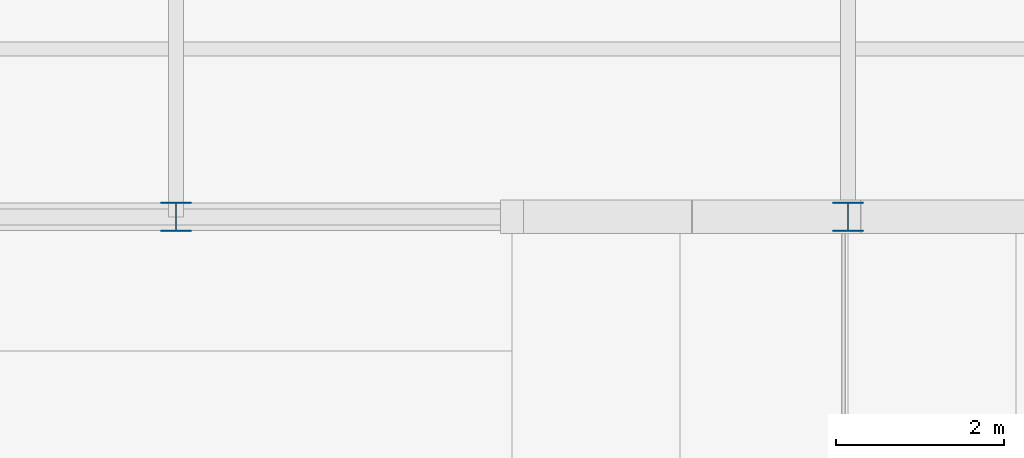
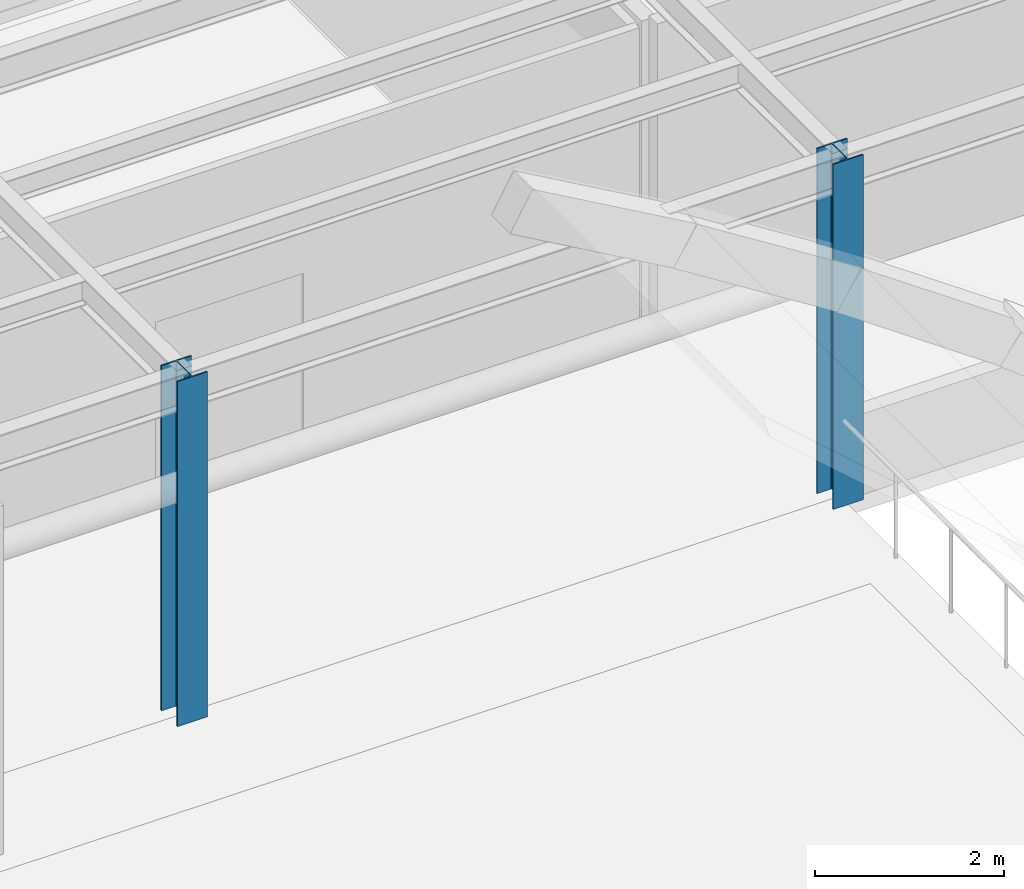
# One storey, part 6 of 82: 2 columns.
"""IFC4 building model written with IfcOpenShell, lengths in metres."""

from ifc_helpers import new_model, si_unit, direction, frame, origin, origin_2d, place, context, subcontext, project, spatial, i_section, extrude, material, material_profile, profile_set, type_object, element, save


model = new_model("IFC4")

# Units and contexts
model_context = context("Model", 3, precision=1e-05, world=origin(), true_north=direction((0.0, 1.0)))
body_context = subcontext(model_context, "Body", "Model", "MODEL_VIEW")
ifc_project = project(units=[si_unit("LENGTHUNIT", "METRE"), si_unit("AREAUNIT", "SQUARE_METRE"), si_unit("VOLUMEUNIT", "CUBIC_METRE"), si_unit("PLANEANGLEUNIT", "RADIAN"), si_unit("MASSUNIT", "GRAM", prefix="KILO")], contexts=[model_context])

# Site, building, storey
site_placement = place(None, origin())
site = spatial("IfcSite", under=ifc_project, at=site_placement, CompositionType="ELEMENT")
building_placement = place(site_placement, origin())
building = spatial("IfcBuilding", under=site, at=building_placement, Name="Sitalva Quay Ferry Terminal", CompositionType="ELEMENT")
storey_placement = place(building_placement, frame((0.0, 0.0, 5.39990234375)))
storey = spatial("IfcBuildingStorey", under=building, at=storey_placement, Name="L02", CompositionType="ELEMENT", Elevation=5.39990234375)

# Columns
ifc_material = material(Name="Structural Steel S355JR", Category="steel")
ifc_material_profile = material_profile(ifc_material, i_section(OverallWidth=0.368896484375, OverallDepth=0.35595703125, WebThickness=0.01123046875, FlangeThickness=0.01806640625, FilletRadius=0.014892578125, at=origin_2d()), Name="W360x134")
ifc_profile_set = profile_set([ifc_material_profile], Name="Structural Steel S355JR")
column_type = type_object("IfcColumnType", Name="Col_W360x134", PredefinedType="COLUMN", material=ifc_profile_set)
for number, where, z_axis, x_axis, name in (
    (1, (58.0, 100.0, 0.0), (0.0, 0.0, 1.0), (1.0, 0.0, 0.0), "L02 column 8L"),
    (2, (66.0, 100.0, 0.0), (0.0, 0.0, 1.0), (1.0, 0.0, 0.0), "L02 column 9L"),
):
    element("IfcColumn", number, at=place(storey_placement, frame(where, z_axis=z_axis, x_axis=x_axis)), inside=storey, type_object=column_type, Name=name, PredefinedType="COLUMN", context=body_context, shape_type="SweptSolid", body=[
        extrude(i_section(OverallWidth=0.368896484375, OverallDepth=0.35595703125, WebThickness=0.01123046875, FlangeThickness=0.01806640625, FilletRadius=0.014892578125, at=origin_2d()), origin(), (0.0, 0.0, 1.0), 4.4501953125),
    ])

save(model, "model.ifc")
